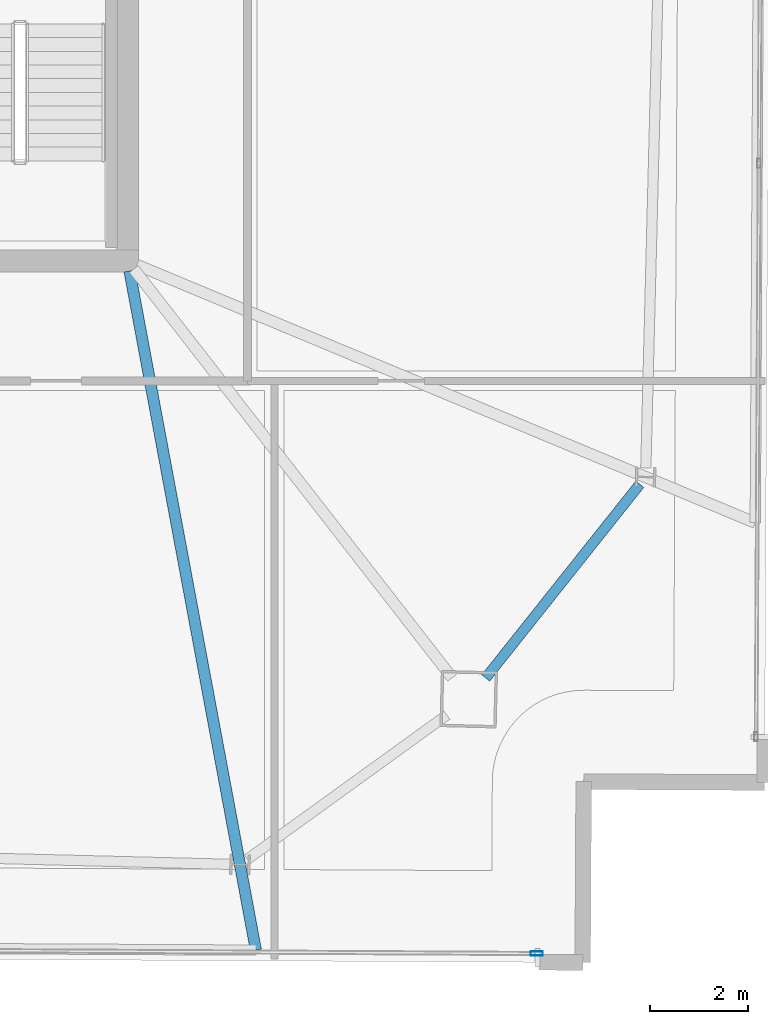
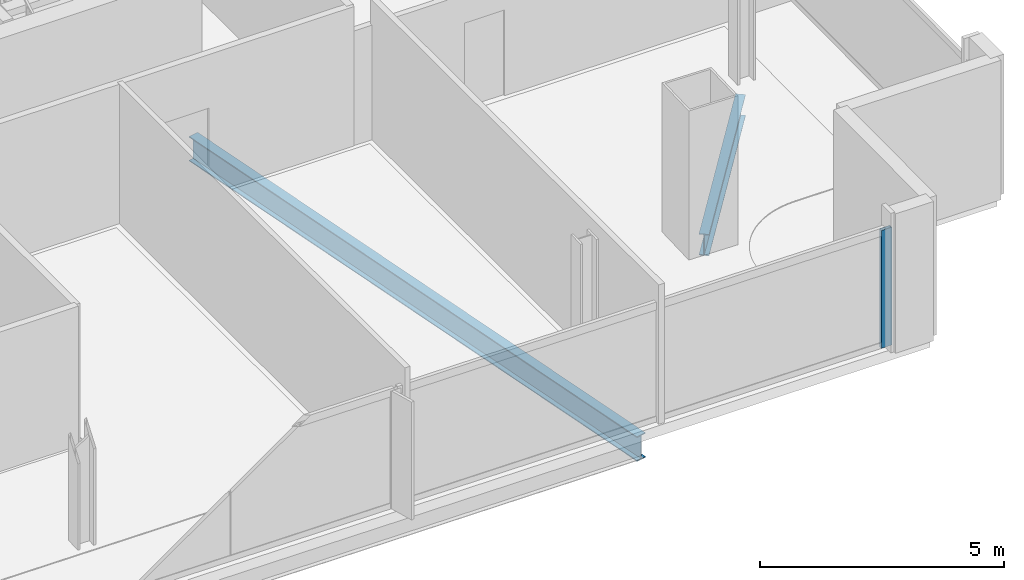
# One storey, part 8 of 24: 2 beams, 1 member, 1 element without a shape of its own.
"""IFC4 building model written with IfcOpenShell, lengths in metres."""

from ifc_helpers import new_model, si_unit, direction, frame, origin, origin_2d, place, context, subcontext, project, spatial, hollow_rectangle, i_section, extrude, material, material_profile, profile_set, type_object, element, aggregate, save


model = new_model("IFC4")

# Units and contexts
model_context = context("Model", 3, precision=1e-05, world=origin(), true_north=direction((0.0, 1.0)))
body_context = subcontext(model_context, "Body", "Model", "MODEL_VIEW")
ifc_project = project(units=[si_unit("LENGTHUNIT", "METRE"), si_unit("AREAUNIT", "SQUARE_METRE"), si_unit("VOLUMEUNIT", "CUBIC_METRE"), si_unit("PLANEANGLEUNIT", "RADIAN"), si_unit("MASSUNIT", "GRAM", prefix="KILO")], contexts=[model_context])

# Site, building, storey
site_placement = place(None, origin())
site = spatial("IfcSite", under=ifc_project, at=site_placement, CompositionType="ELEMENT")
building_placement = place(site_placement, origin())
building = spatial("IfcBuilding", under=site, at=building_placement, Name="Haldenkirk Collegiate Tower", CompositionType="ELEMENT")
storey_placement = place(building_placement, frame((0.0, 0.0, 328.949951171875)))
storey = spatial("IfcBuildingStorey", under=building, at=storey_placement, Name="L83", CompositionType="ELEMENT", Elevation=328.949951171875)

# Beams
ifc_material_1 = material(Name="Steel ASTM A992 Grade 50", Category="steel")
ifc_material_profile_1 = material_profile(ifc_material_1, i_section(OverallWidth=0.22998046875, OverallDepth=0.616943359375, WebThickness=0.01318359375, FlangeThickness=0.022216796875, at=origin_2d()), Name="W24X94")
ifc_profile_set_1 = profile_set([ifc_material_profile_1], Name="Steel ASTM A992 Grade 50")
beam_type_1 = type_object("IfcBeamType", Name="BM-GIRDER-W24X94", PredefinedType="BEAM", material=ifc_profile_set_1)
beam_1_placement = place(storey_placement, frame((47.622314453125, 3.90869140625, -0.568359375), z_axis=(-0.18294559287, 0.98312303912, 0.0), x_axis=(-0.98312303912, -0.18294559287, 0.0)))
element("IfcBeam", 1, at=beam_1_placement, inside=storey, type_object=beam_type_1, Name="L83 primary floor girder 16", PredefinedType="BEAM", context=body_context, shape_type="SweptSolid", body=[
    extrude(i_section(OverallWidth=0.22998046875, OverallDepth=0.616943359375, WebThickness=0.01318359375, FlangeThickness=0.022216796875, at=origin_2d()), origin(), (0.0, 0.0, 1.0), 14.12841796875),
])
ifc_material_profile_2 = material_profile(ifc_material_1, i_section(OverallWidth=0.2099609375, OverallDepth=0.537109375, WebThickness=0.010986328125, FlangeThickness=0.017333984375, at=origin_2d()), Name="W21X68")
ifc_profile_set_2 = profile_set([ifc_material_profile_2], Name="Steel ASTM A992 Grade 50")
beam_type_2 = type_object("IfcBeamType", Name="BM-SPANDREL-W21X68", PredefinedType="SPANDREL", material=ifc_profile_set_2)
beam_2_placement = place(storey_placement, frame((52.321533203125, 9.474609375, -0.528564453125), z_axis=(0.622700032294, 0.782460650628, 0.0), x_axis=(-0.782460650628, 0.622700032294, 0.0)))
element("IfcBeam", 2, at=beam_2_placement, inside=storey, type_object=beam_type_2, Name="L83 perimeter spandrel beam 01", PredefinedType="SPANDREL", context=body_context, shape_type="SweptSolid", body=[
    extrude(i_section(OverallWidth=0.2099609375, OverallDepth=0.537109375, WebThickness=0.010986328125, FlangeThickness=0.017333984375, at=origin_2d()), origin(), (0.0, 0.0, 1.0), 5.064453125),
])

# Curtain wall, member
ifc_material_2 = material(Name="Anodised architectural bronze aluminium", Category="aluminium")
curtain_wall_type = type_object("IfcCurtainWallType", Name="CW-SYS1B-CONVEX-HI", PredefinedType="USERDEFINED", material=ifc_material_2)
curtain_wall_placement = place(storey_placement, origin())
curtain_wall = element("IfcCurtainWall", 3, at=curtain_wall_placement, inside=storey, type_object=curtain_wall_type, Name="L83 Upper tower high-wind convex bronze unitised curtain wall", ObjectType="UNITISED CURTAIN WALL", PredefinedType="USERDEFINED")
ifc_material_profile_3 = material_profile(ifc_material_2, hollow_rectangle(XDim=0.0849609375, YDim=0.25, WallThickness=0.0048828125, at=origin_2d()), Name="CW-MUL-1B")
ifc_profile_set_3 = profile_set([ifc_material_profile_3], Name="Anodised architectural bronze aluminium")
member_type = type_object("IfcMemberType", Name="CW-MUL-1B", PredefinedType="MULLION", material=ifc_profile_set_3)
member_placement = place(storey_placement, frame((53.36669921875, 3.838623046875, 0.0), z_axis=(0.0, 0.0, 1.0), x_axis=(-0.005238712897, -0.999986277849, 0.0)))
member = element("IfcMember", 4, at=member_placement, type_object=member_type, Name="CW-1B mullion 1", PredefinedType="MULLION", context=body_context, shape_type="SweptSolid", body=[
    extrude(hollow_rectangle(XDim=0.0849609375, YDim=0.25, WallThickness=0.0048828125, at=origin_2d()), origin(), (0.0, 0.0, 1.0), 2.947998046875),
])
aggregate(curtain_wall, [member])

save(model, "model.ifc")
